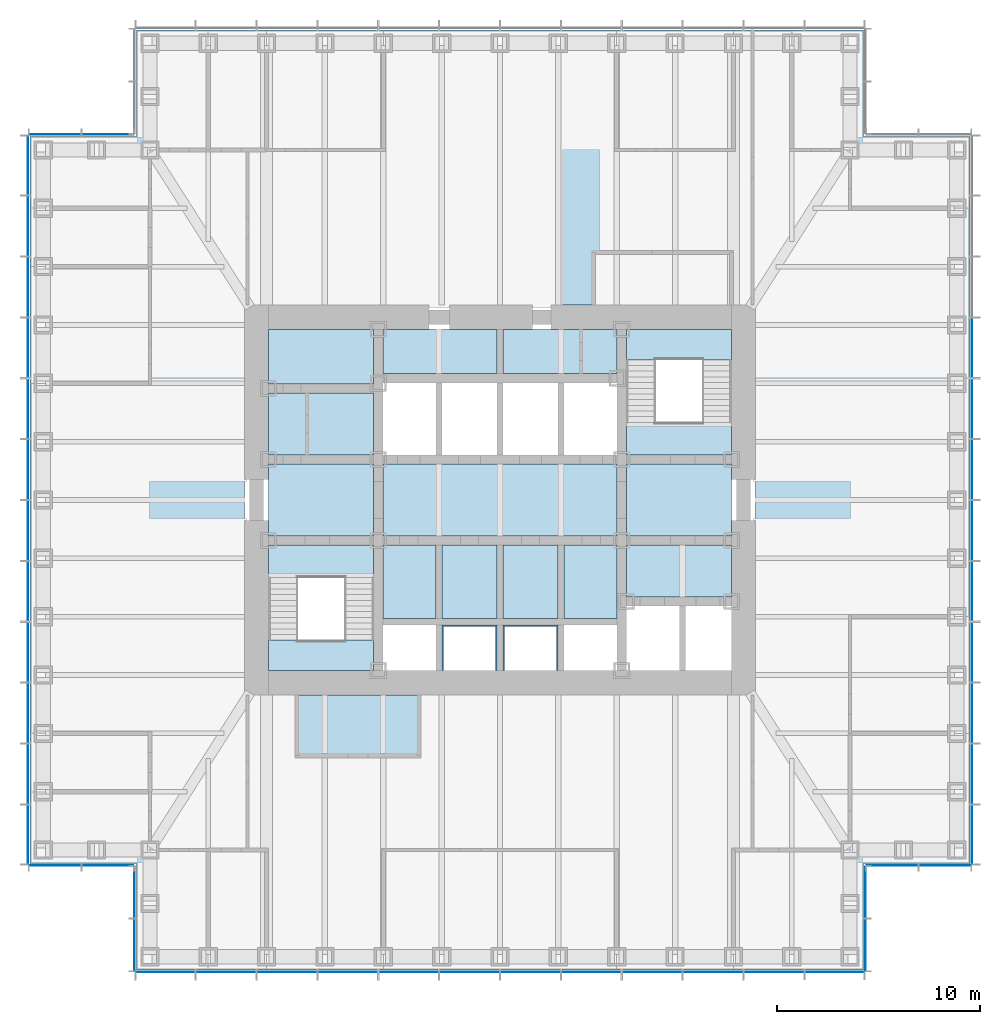
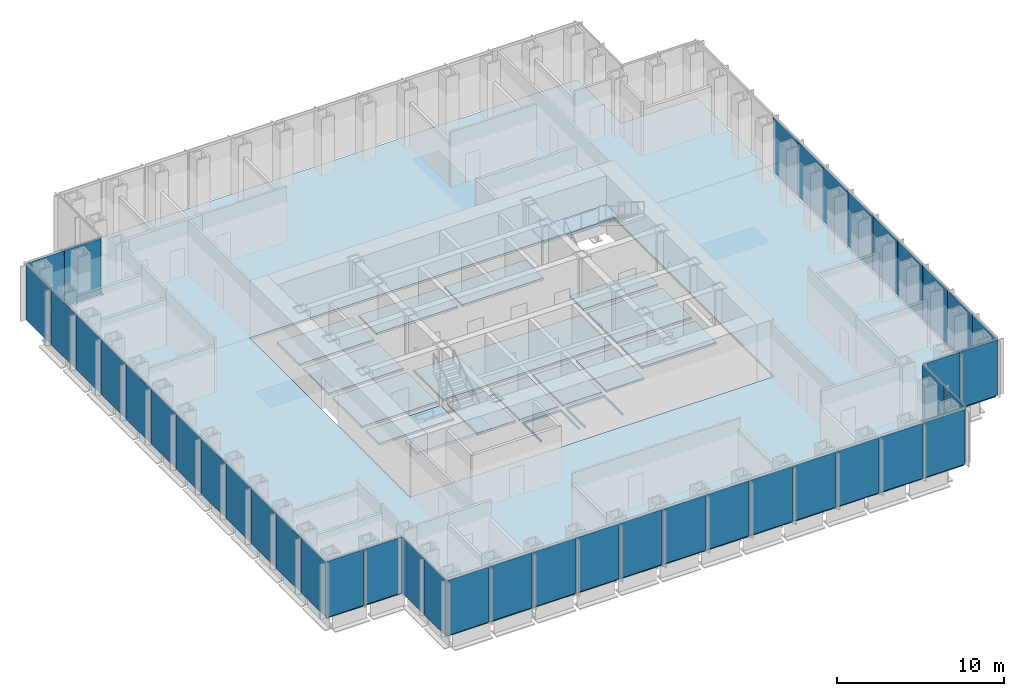
# One storey, part 7 of 17: 43 plates, 19 slabs, 10 elements without a shape of their own.
"""IFC4 building model written with IfcOpenShell, lengths in metres."""

from ifc_helpers import new_model, si_unit, direction, frame, origin, origin_2d, place, context, subcontext, project, spatial, polyline, rectangle, outline, extrude, material, layer, layer_set, type_object, element, aggregate, save


model = new_model("IFC4")

# Units and contexts
model_context = context("Model", 3, precision=1e-05, world=origin(), true_north=direction((0.0, 1.0)))
body_context = subcontext(model_context, "Body", "Model", "MODEL_VIEW")
ifc_project = project(units=[si_unit("LENGTHUNIT", "METRE"), si_unit("AREAUNIT", "SQUARE_METRE"), si_unit("VOLUMEUNIT", "CUBIC_METRE"), si_unit("PLANEANGLEUNIT", "RADIAN"), si_unit("MASSUNIT", "GRAM", prefix="KILO")], contexts=[model_context])

# Site, building, storey
site_placement = place(None, origin())
site = spatial("IfcSite", under=ifc_project, at=site_placement, CompositionType="ELEMENT")
building_placement = place(site_placement, origin())
building = spatial("IfcBuilding", under=site, at=building_placement, Name="Daluyong Arena Tower", CompositionType="ELEMENT")
storey_placement = place(building_placement, frame((0.0, 0.0, 145.89990234375)))
storey = spatial("IfcBuildingStorey", under=building, at=storey_placement, Name="L32", CompositionType="ELEMENT", Elevation=145.89990234375)

# Curtain wall, plates
ifc_material_1 = material(Name="Bronze anodised aluminium and glass", Category="aluminium")
curtain_wall_type_1 = type_object("IfcCurtainWallType", Name="Curtain wall CW2", PredefinedType="USERDEFINED", material=ifc_material_1)
curtain_wall_1_placement = place(storey_placement, origin())
curtain_wall_1 = element("IfcCurtainWall", 1, at=curtain_wall_1_placement, inside=storey, type_object=curtain_wall_type_1, Name="curtain wall L32 S", ObjectType="UNITISED CURTAIN WALL", PredefinedType="USERDEFINED")
ifc_material_2 = material(Name="Tinted double glazed unit", Category="glass")
ifc_layer_1 = layer(ifc_material_2, 0.031982421875)
ifc_layer_set_1 = layer_set([ifc_layer_1], Name="Tinted double glazed unit")
plate_type_1 = type_object("IfcPlateType", Name="CW2 panel 32", PredefinedType="CURTAIN_PANEL", material=ifc_layer_set_1)
plate_1_placement = place(storey_placement, frame((39.52001953125, 56.75, 0.0), z_axis=(0.0, 0.0, 1.0), x_axis=(1.0, 0.0, 0.0)))
plate_1 = element("IfcPlate", 2, at=plate_1_placement, type_object=plate_type_1, Name="curtain wall L32 S panel 1", PredefinedType="CURTAIN_PANEL", context=body_context, shape_type="SweptSolid", body=[
    extrude(rectangle(XDim=2.8798828125, YDim=0.031982421875, at=origin_2d()), origin(), (0.0, 0.0, 1.0), 4.02001953125),
])
plate_2_placement = place(storey_placement, frame((42.5, 56.75, 0.0), z_axis=(0.0, 0.0, 1.0), x_axis=(1.0, 0.0, 0.0)))
plate_2 = element("IfcPlate", 3, at=plate_2_placement, type_object=plate_type_1, Name="curtain wall L32 S panel 2", PredefinedType="CURTAIN_PANEL", context=body_context, shape_type="SweptSolid", body=[
    extrude(rectangle(XDim=2.919921875, YDim=0.031982421875, at=origin_2d()), origin(), (0.0, 0.0, 1.0), 4.02001953125),
])
plate_3_placement = place(storey_placement, frame((45.5, 56.75, 0.0), z_axis=(0.0, 0.0, 1.0), x_axis=(1.0, 0.0, 0.0)))
plate_3 = element("IfcPlate", 4, at=plate_3_placement, type_object=plate_type_1, Name="curtain wall L32 S panel 3", PredefinedType="CURTAIN_PANEL", context=body_context, shape_type="SweptSolid", body=[
    extrude(rectangle(XDim=2.919921875, YDim=0.031982421875, at=origin_2d()), origin(), (0.0, 0.0, 1.0), 4.02001953125),
])
plate_4_placement = place(storey_placement, frame((48.5, 56.75, 0.0), z_axis=(0.0, 0.0, 1.0), x_axis=(1.0, 0.0, 0.0)))
plate_4 = element("IfcPlate", 5, at=plate_4_placement, type_object=plate_type_1, Name="curtain wall L32 S panel 4", PredefinedType="CURTAIN_PANEL", context=body_context, shape_type="SweptSolid", body=[
    extrude(rectangle(XDim=2.919921875, YDim=0.031982421875, at=origin_2d()), origin(), (0.0, 0.0, 1.0), 4.02001953125),
])
plate_5_placement = place(storey_placement, frame((51.5, 56.75, 0.0), z_axis=(0.0, 0.0, 1.0), x_axis=(1.0, 0.0, 0.0)))
plate_5 = element("IfcPlate", 6, at=plate_5_placement, type_object=plate_type_1, Name="curtain wall L32 S panel 5", PredefinedType="CURTAIN_PANEL", context=body_context, shape_type="SweptSolid", body=[
    extrude(rectangle(XDim=2.919921875, YDim=0.031982421875, at=origin_2d()), origin(), (0.0, 0.0, 1.0), 4.02001953125),
])
plate_6_placement = place(storey_placement, frame((54.5, 56.75, 0.0), z_axis=(0.0, 0.0, 1.0), x_axis=(1.0, 0.0, 0.0)))
plate_6 = element("IfcPlate", 7, at=plate_6_placement, type_object=plate_type_1, Name="curtain wall L32 S panel 6", PredefinedType="CURTAIN_PANEL", context=body_context, shape_type="SweptSolid", body=[
    extrude(rectangle(XDim=2.919921875, YDim=0.031982421875, at=origin_2d()), origin(), (0.0, 0.0, 1.0), 4.02001953125),
])
plate_7_placement = place(storey_placement, frame((57.5, 56.75, 0.0), z_axis=(0.0, 0.0, 1.0), x_axis=(1.0, 0.0, 0.0)))
plate_7 = element("IfcPlate", 8, at=plate_7_placement, type_object=plate_type_1, Name="curtain wall L32 S panel 7", PredefinedType="CURTAIN_PANEL", context=body_context, shape_type="SweptSolid", body=[
    extrude(rectangle(XDim=2.919921875, YDim=0.031982421875, at=origin_2d()), origin(), (0.0, 0.0, 1.0), 4.02001953125),
])
plate_8_placement = place(storey_placement, frame((60.5, 56.75, 0.0), z_axis=(0.0, 0.0, 1.0), x_axis=(1.0, 0.0, 0.0)))
plate_8 = element("IfcPlate", 9, at=plate_8_placement, type_object=plate_type_1, Name="curtain wall L32 S panel 8", PredefinedType="CURTAIN_PANEL", context=body_context, shape_type="SweptSolid", body=[
    extrude(rectangle(XDim=2.919921875, YDim=0.031982421875, at=origin_2d()), origin(), (0.0, 0.0, 1.0), 4.02001953125),
])
plate_9_placement = place(storey_placement, frame((63.5, 56.75, 0.0), z_axis=(0.0, 0.0, 1.0), x_axis=(1.0, 0.0, 0.0)))
plate_9 = element("IfcPlate", 10, at=plate_9_placement, type_object=plate_type_1, Name="curtain wall L32 S panel 9", PredefinedType="CURTAIN_PANEL", context=body_context, shape_type="SweptSolid", body=[
    extrude(rectangle(XDim=2.919921875, YDim=0.031982421875, at=origin_2d()), origin(), (0.0, 0.0, 1.0), 4.02001953125),
])
plate_10_placement = place(storey_placement, frame((66.5, 56.75, 0.0), z_axis=(0.0, 0.0, 1.0), x_axis=(1.0, 0.0, 0.0)))
plate_10 = element("IfcPlate", 11, at=plate_10_placement, type_object=plate_type_1, Name="curtain wall L32 S panel 10", PredefinedType="CURTAIN_PANEL", context=body_context, shape_type="SweptSolid", body=[
    extrude(rectangle(XDim=2.919921875, YDim=0.031982421875, at=origin_2d()), origin(), (0.0, 0.0, 1.0), 4.02001953125),
])
plate_11_placement = place(storey_placement, frame((69.5, 56.75, 0.0), z_axis=(0.0, 0.0, 1.0), x_axis=(1.0, 0.0, 0.0)))
plate_11 = element("IfcPlate", 12, at=plate_11_placement, type_object=plate_type_1, Name="curtain wall L32 S panel 11", PredefinedType="CURTAIN_PANEL", context=body_context, shape_type="SweptSolid", body=[
    extrude(rectangle(XDim=2.919921875, YDim=0.031982421875, at=origin_2d()), origin(), (0.0, 0.0, 1.0), 4.02001953125),
])
plate_12_placement = place(storey_placement, frame((72.47998046875, 56.75, 0.0), z_axis=(0.0, 0.0, 1.0), x_axis=(1.0, 0.0, 0.0)))
plate_12 = element("IfcPlate", 13, at=plate_12_placement, type_object=plate_type_1, Name="curtain wall L32 S panel 12", PredefinedType="CURTAIN_PANEL", context=body_context, shape_type="SweptSolid", body=[
    extrude(rectangle(XDim=2.8798828125, YDim=0.031982421875, at=origin_2d()), origin(), (0.0, 0.0, 1.0), 4.02001953125),
])
aggregate(curtain_wall_1, [plate_1, plate_2, plate_3, plate_4, plate_5, plate_6, plate_7, plate_8, plate_9, plate_10, plate_11, plate_12])

curtain_wall_2_placement = place(storey_placement, origin())
curtain_wall_2 = element("IfcCurtainWall", 14, at=curtain_wall_2_placement, inside=storey, type_object=curtain_wall_type_1, Name="curtain wall L32 E", ObjectType="UNITISED CURTAIN WALL", PredefinedType="USERDEFINED")
plate_13_placement = place(storey_placement, frame((79.25, 63.52001953125, 0.0), z_axis=(0.0, 0.0, 1.0), x_axis=(0.0, 1.0, 0.0)))
plate_13 = element("IfcPlate", 15, at=plate_13_placement, type_object=plate_type_1, Name="curtain wall L32 E panel 1", PredefinedType="CURTAIN_PANEL", context=body_context, shape_type="SweptSolid", body=[
    extrude(rectangle(XDim=2.8798828125, YDim=0.031982421875, at=origin_2d()), origin(), (0.0, 0.0, 1.0), 4.02001953125),
])
plate_14_placement = place(storey_placement, frame((79.25, 66.5, 0.0), z_axis=(0.0, 0.0, 1.0), x_axis=(0.0, 1.0, 0.0)))
plate_14 = element("IfcPlate", 16, at=plate_14_placement, type_object=plate_type_1, Name="curtain wall L32 E panel 2", PredefinedType="CURTAIN_PANEL", context=body_context, shape_type="SweptSolid", body=[
    extrude(rectangle(XDim=2.919921875, YDim=0.031982421875, at=origin_2d()), origin(), (0.0, 0.0, 1.0), 4.02001953125),
])
plate_15_placement = place(storey_placement, frame((79.25, 69.5, 0.0), z_axis=(0.0, 0.0, 1.0), x_axis=(0.0, 1.0, 0.0)))
plate_15 = element("IfcPlate", 17, at=plate_15_placement, type_object=plate_type_1, Name="curtain wall L32 E panel 3", PredefinedType="CURTAIN_PANEL", context=body_context, shape_type="SweptSolid", body=[
    extrude(rectangle(XDim=2.919921875, YDim=0.031982421875, at=origin_2d()), origin(), (0.0, 0.0, 1.0), 4.02001953125),
])
plate_16_placement = place(storey_placement, frame((79.25, 72.5, 0.0), z_axis=(0.0, 0.0, 1.0), x_axis=(0.0, 1.0, 0.0)))
plate_16 = element("IfcPlate", 18, at=plate_16_placement, type_object=plate_type_1, Name="curtain wall L32 E panel 4", PredefinedType="CURTAIN_PANEL", context=body_context, shape_type="SweptSolid", body=[
    extrude(rectangle(XDim=2.919921875, YDim=0.031982421875, at=origin_2d()), origin(), (0.0, 0.0, 1.0), 4.02001953125),
])
plate_17_placement = place(storey_placement, frame((79.25, 75.5, 0.0), z_axis=(0.0, 0.0, 1.0), x_axis=(0.0, 1.0, 0.0)))
plate_17 = element("IfcPlate", 19, at=plate_17_placement, type_object=plate_type_1, Name="curtain wall L32 E panel 5", PredefinedType="CURTAIN_PANEL", context=body_context, shape_type="SweptSolid", body=[
    extrude(rectangle(XDim=2.919921875, YDim=0.031982421875, at=origin_2d()), origin(), (0.0, 0.0, 1.0), 4.02001953125),
])
plate_18_placement = place(storey_placement, frame((79.25, 78.5, 0.0), z_axis=(0.0, 0.0, 1.0), x_axis=(0.0, 1.0, 0.0)))
plate_18 = element("IfcPlate", 20, at=plate_18_placement, type_object=plate_type_1, Name="curtain wall L32 E panel 6", PredefinedType="CURTAIN_PANEL", context=body_context, shape_type="SweptSolid", body=[
    extrude(rectangle(XDim=2.919921875, YDim=0.031982421875, at=origin_2d()), origin(), (0.0, 0.0, 1.0), 4.02001953125),
])
plate_19_placement = place(storey_placement, frame((79.25, 81.5, 0.0), z_axis=(0.0, 0.0, 1.0), x_axis=(0.0, 1.0, 0.0)))
plate_19 = element("IfcPlate", 21, at=plate_19_placement, type_object=plate_type_1, Name="curtain wall L32 E panel 7", PredefinedType="CURTAIN_PANEL", context=body_context, shape_type="SweptSolid", body=[
    extrude(rectangle(XDim=2.919921875, YDim=0.031982421875, at=origin_2d()), origin(), (0.0, 0.0, 1.0), 4.02001953125),
])
plate_20_placement = place(storey_placement, frame((79.25, 84.5, 0.0), z_axis=(0.0, 0.0, 1.0), x_axis=(0.0, 1.0, 0.0)))
plate_20 = element("IfcPlate", 22, at=plate_20_placement, type_object=plate_type_1, Name="curtain wall L32 E panel 8", PredefinedType="CURTAIN_PANEL", context=body_context, shape_type="SweptSolid", body=[
    extrude(rectangle(XDim=2.919921875, YDim=0.031982421875, at=origin_2d()), origin(), (0.0, 0.0, 1.0), 4.02001953125),
])
plate_21_placement = place(storey_placement, frame((79.25, 87.5, 0.0), z_axis=(0.0, 0.0, 1.0), x_axis=(0.0, 1.0, 0.0)))
plate_21 = element("IfcPlate", 23, at=plate_21_placement, type_object=plate_type_1, Name="curtain wall L32 E panel 9", PredefinedType="CURTAIN_PANEL", context=body_context, shape_type="SweptSolid", body=[
    extrude(rectangle(XDim=2.919921875, YDim=0.031982421875, at=origin_2d()), origin(), (0.0, 0.0, 1.0), 4.02001953125),
])
aggregate(curtain_wall_2, [plate_13, plate_14, plate_15, plate_16, plate_17, plate_18, plate_19, plate_20, plate_21])

curtain_wall_3_placement = place(storey_placement, origin())
curtain_wall_3 = element("IfcCurtainWall", 24, at=curtain_wall_3_placement, inside=storey, type_object=curtain_wall_type_1, Name="curtain wall L32 W", ObjectType="UNITISED CURTAIN WALL", PredefinedType="USERDEFINED")
plate_22_placement = place(storey_placement, frame((32.75, 96.47998046875, 0.0), z_axis=(0.0, 0.0, 1.0), x_axis=(0.0, -1.0, 0.0)))
plate_22 = element("IfcPlate", 25, at=plate_22_placement, type_object=plate_type_1, Name="curtain wall L32 W panel 1", PredefinedType="CURTAIN_PANEL", context=body_context, shape_type="SweptSolid", body=[
    extrude(rectangle(XDim=2.8798828125, YDim=0.031982421875, at=origin_2d()), origin(), (0.0, 0.0, 1.0), 4.02001953125),
])
plate_23_placement = place(storey_placement, frame((32.75, 93.5, 0.0), z_axis=(0.0, 0.0, 1.0), x_axis=(0.0, -1.0, 0.0)))
plate_23 = element("IfcPlate", 26, at=plate_23_placement, type_object=plate_type_1, Name="curtain wall L32 W panel 2", PredefinedType="CURTAIN_PANEL", context=body_context, shape_type="SweptSolid", body=[
    extrude(rectangle(XDim=2.919921875, YDim=0.031982421875, at=origin_2d()), origin(), (0.0, 0.0, 1.0), 4.02001953125),
])
plate_24_placement = place(storey_placement, frame((32.75, 90.5, 0.0), z_axis=(0.0, 0.0, 1.0), x_axis=(0.0, -1.0, 0.0)))
plate_24 = element("IfcPlate", 27, at=plate_24_placement, type_object=plate_type_1, Name="curtain wall L32 W panel 3", PredefinedType="CURTAIN_PANEL", context=body_context, shape_type="SweptSolid", body=[
    extrude(rectangle(XDim=2.919921875, YDim=0.031982421875, at=origin_2d()), origin(), (0.0, 0.0, 1.0), 4.02001953125),
])
plate_25_placement = place(storey_placement, frame((32.75, 87.5, 0.0), z_axis=(0.0, 0.0, 1.0), x_axis=(0.0, -1.0, 0.0)))
plate_25 = element("IfcPlate", 28, at=plate_25_placement, type_object=plate_type_1, Name="curtain wall L32 W panel 4", PredefinedType="CURTAIN_PANEL", context=body_context, shape_type="SweptSolid", body=[
    extrude(rectangle(XDim=2.919921875, YDim=0.031982421875, at=origin_2d()), origin(), (0.0, 0.0, 1.0), 4.02001953125),
])
plate_26_placement = place(storey_placement, frame((32.75, 84.5, 0.0), z_axis=(0.0, 0.0, 1.0), x_axis=(0.0, -1.0, 0.0)))
plate_26 = element("IfcPlate", 29, at=plate_26_placement, type_object=plate_type_1, Name="curtain wall L32 W panel 5", PredefinedType="CURTAIN_PANEL", context=body_context, shape_type="SweptSolid", body=[
    extrude(rectangle(XDim=2.919921875, YDim=0.031982421875, at=origin_2d()), origin(), (0.0, 0.0, 1.0), 4.02001953125),
])
plate_27_placement = place(storey_placement, frame((32.75, 81.5, 0.0), z_axis=(0.0, 0.0, 1.0), x_axis=(0.0, -1.0, 0.0)))
plate_27 = element("IfcPlate", 30, at=plate_27_placement, type_object=plate_type_1, Name="curtain wall L32 W panel 6", PredefinedType="CURTAIN_PANEL", context=body_context, shape_type="SweptSolid", body=[
    extrude(rectangle(XDim=2.919921875, YDim=0.031982421875, at=origin_2d()), origin(), (0.0, 0.0, 1.0), 4.02001953125),
])
plate_28_placement = place(storey_placement, frame((32.75, 78.5, 0.0), z_axis=(0.0, 0.0, 1.0), x_axis=(0.0, -1.0, 0.0)))
plate_28 = element("IfcPlate", 31, at=plate_28_placement, type_object=plate_type_1, Name="curtain wall L32 W panel 7", PredefinedType="CURTAIN_PANEL", context=body_context, shape_type="SweptSolid", body=[
    extrude(rectangle(XDim=2.919921875, YDim=0.031982421875, at=origin_2d()), origin(), (0.0, 0.0, 1.0), 4.02001953125),
])
plate_29_placement = place(storey_placement, frame((32.75, 75.5, 0.0), z_axis=(0.0, 0.0, 1.0), x_axis=(0.0, -1.0, 0.0)))
plate_29 = element("IfcPlate", 32, at=plate_29_placement, type_object=plate_type_1, Name="curtain wall L32 W panel 8", PredefinedType="CURTAIN_PANEL", context=body_context, shape_type="SweptSolid", body=[
    extrude(rectangle(XDim=2.919921875, YDim=0.031982421875, at=origin_2d()), origin(), (0.0, 0.0, 1.0), 4.02001953125),
])
plate_30_placement = place(storey_placement, frame((32.75, 72.5, 0.0), z_axis=(0.0, 0.0, 1.0), x_axis=(0.0, -1.0, 0.0)))
plate_30 = element("IfcPlate", 33, at=plate_30_placement, type_object=plate_type_1, Name="curtain wall L32 W panel 9", PredefinedType="CURTAIN_PANEL", context=body_context, shape_type="SweptSolid", body=[
    extrude(rectangle(XDim=2.919921875, YDim=0.031982421875, at=origin_2d()), origin(), (0.0, 0.0, 1.0), 4.02001953125),
])
plate_31_placement = place(storey_placement, frame((32.75, 69.5, 0.0), z_axis=(0.0, 0.0, 1.0), x_axis=(0.0, -1.0, 0.0)))
plate_31 = element("IfcPlate", 34, at=plate_31_placement, type_object=plate_type_1, Name="curtain wall L32 W panel 10", PredefinedType="CURTAIN_PANEL", context=body_context, shape_type="SweptSolid", body=[
    extrude(rectangle(XDim=2.919921875, YDim=0.031982421875, at=origin_2d()), origin(), (0.0, 0.0, 1.0), 4.02001953125),
])
plate_32_placement = place(storey_placement, frame((32.75, 66.5, 0.0), z_axis=(0.0, 0.0, 1.0), x_axis=(0.0, -1.0, 0.0)))
plate_32 = element("IfcPlate", 35, at=plate_32_placement, type_object=plate_type_1, Name="curtain wall L32 W panel 11", PredefinedType="CURTAIN_PANEL", context=body_context, shape_type="SweptSolid", body=[
    extrude(rectangle(XDim=2.919921875, YDim=0.031982421875, at=origin_2d()), origin(), (0.0, 0.0, 1.0), 4.02001953125),
])
plate_33_placement = place(storey_placement, frame((32.75, 63.52001953125, 0.0), z_axis=(0.0, 0.0, 1.0), x_axis=(0.0, -1.0, 0.0)))
plate_33 = element("IfcPlate", 36, at=plate_33_placement, type_object=plate_type_1, Name="curtain wall L32 W panel 12", PredefinedType="CURTAIN_PANEL", context=body_context, shape_type="SweptSolid", body=[
    extrude(rectangle(XDim=2.8798828125, YDim=0.031982421875, at=origin_2d()), origin(), (0.0, 0.0, 1.0), 4.02001953125),
])
aggregate(curtain_wall_3, [plate_22, plate_23, plate_24, plate_25, plate_26, plate_27, plate_28, plate_29, plate_30, plate_31, plate_32, plate_33])

ifc_material_3 = material(Name="Bronze anodised aluminium and glass", Category="aluminium")
curtain_wall_type_2 = type_object("IfcCurtainWallType", Name="Curtain wall CW7", PredefinedType="USERDEFINED", material=ifc_material_3)
curtain_wall_4_placement = place(storey_placement, origin())
curtain_wall_4 = element("IfcCurtainWall", 37, at=curtain_wall_4_placement, inside=storey, type_object=curtain_wall_type_2, Name="curtain wall L32 SE-E", ObjectType="UNITISED CURTAIN WALL", PredefinedType="USERDEFINED")
ifc_material_4 = material(Name="Tinted double glazed unit", Category="glass")
ifc_layer_2 = layer(ifc_material_4, 0.028076171875)
ifc_layer_set_2 = layer_set([ifc_layer_2], Name="Tinted double glazed unit")
plate_type_2 = type_object("IfcPlateType", Name="CW7 panel 28", PredefinedType="CURTAIN_PANEL", material=ifc_layer_set_2)
plate_34_placement = place(storey_placement, frame((74.0, 58.077392578125, 0.0), z_axis=(0.0, 0.0, 1.0), x_axis=(0.0, 1.0, 0.0)))
plate_34 = element("IfcPlate", 38, at=plate_34_placement, type_object=plate_type_2, Name="curtain wall L32 SE-E panel 1", PredefinedType="CURTAIN_PANEL", context=body_context, shape_type="SweptSolid", body=[
    extrude(rectangle(XDim=2.534912109375, YDim=0.028076171875, at=origin_2d()), origin(), (0.0, 0.0, 1.0), 4.080078125),
])
plate_35_placement = place(storey_placement, frame((74.0, 60.672607421875, 0.0), z_axis=(0.0, 0.0, 1.0), x_axis=(0.0, 1.0, 0.0)))
plate_35 = element("IfcPlate", 39, at=plate_35_placement, type_object=plate_type_2, Name="curtain wall L32 SE-E panel 2", PredefinedType="CURTAIN_PANEL", context=body_context, shape_type="SweptSolid", body=[
    extrude(rectangle(XDim=2.534912109375, YDim=0.028076171875, at=origin_2d()), origin(), (0.0, 0.0, 1.0), 4.080078125),
])
aggregate(curtain_wall_4, [plate_34, plate_35])

curtain_wall_5_placement = place(storey_placement, origin())
curtain_wall_5 = element("IfcCurtainWall", 40, at=curtain_wall_5_placement, inside=storey, type_object=curtain_wall_type_2, Name="curtain wall L32 SE-S", ObjectType="UNITISED CURTAIN WALL", PredefinedType="USERDEFINED")
plate_36_placement = place(storey_placement, frame((75.327392578125, 62.0, 0.0), z_axis=(0.0, 0.0, 1.0), x_axis=(1.0, 0.0, 0.0)))
plate_36 = element("IfcPlate", 41, at=plate_36_placement, type_object=plate_type_2, Name="curtain wall L32 SE-S panel 1", PredefinedType="CURTAIN_PANEL", context=body_context, shape_type="SweptSolid", body=[
    extrude(rectangle(XDim=2.534912109375, YDim=0.028076171875, at=origin_2d()), origin(), (0.0, 0.0, 1.0), 4.080078125),
])
plate_37_placement = place(storey_placement, frame((77.922607421875, 62.0, 0.0), z_axis=(0.0, 0.0, 1.0), x_axis=(1.0, 0.0, 0.0)))
plate_37 = element("IfcPlate", 42, at=plate_37_placement, type_object=plate_type_2, Name="curtain wall L32 SE-S panel 2", PredefinedType="CURTAIN_PANEL", context=body_context, shape_type="SweptSolid", body=[
    extrude(rectangle(XDim=2.534912109375, YDim=0.028076171875, at=origin_2d()), origin(), (0.0, 0.0, 1.0), 4.080078125),
])
aggregate(curtain_wall_5, [plate_36, plate_37])

curtain_wall_6_placement = place(storey_placement, origin())
curtain_wall_6 = element("IfcCurtainWall", 43, at=curtain_wall_6_placement, inside=storey, type_object=curtain_wall_type_2, Name="curtain wall L32 NW-N", ObjectType="UNITISED CURTAIN WALL", PredefinedType="USERDEFINED")
plate_38_placement = place(storey_placement, frame((36.672607421875, 98.0, 0.0), z_axis=(0.0, 0.0, 1.0), x_axis=(-1.0, 0.0, 0.0)))
plate_38 = element("IfcPlate", 44, at=plate_38_placement, type_object=plate_type_2, Name="curtain wall L32 NW-N panel 1", PredefinedType="CURTAIN_PANEL", context=body_context, shape_type="SweptSolid", body=[
    extrude(rectangle(XDim=2.534912109375, YDim=0.028076171875, at=origin_2d()), origin(), (0.0, 0.0, 1.0), 4.080078125),
])
plate_39_placement = place(storey_placement, frame((34.077392578125, 98.0, 0.0), z_axis=(0.0, 0.0, 1.0), x_axis=(-1.0, 0.0, 0.0)))
plate_39 = element("IfcPlate", 45, at=plate_39_placement, type_object=plate_type_2, Name="curtain wall L32 NW-N panel 2", PredefinedType="CURTAIN_PANEL", context=body_context, shape_type="SweptSolid", body=[
    extrude(rectangle(XDim=2.534912109375, YDim=0.028076171875, at=origin_2d()), origin(), (0.0, 0.0, 1.0), 4.080078125),
])
aggregate(curtain_wall_6, [plate_38, plate_39])

curtain_wall_7_placement = place(storey_placement, origin())
curtain_wall_7 = element("IfcCurtainWall", 46, at=curtain_wall_7_placement, inside=storey, type_object=curtain_wall_type_2, Name="curtain wall L32 SW-S", ObjectType="UNITISED CURTAIN WALL", PredefinedType="USERDEFINED")
plate_40_placement = place(storey_placement, frame((34.077392578125, 62.0, 0.0), z_axis=(0.0, 0.0, 1.0), x_axis=(1.0, 0.0, 0.0)))
plate_40 = element("IfcPlate", 47, at=plate_40_placement, type_object=plate_type_2, Name="curtain wall L32 SW-S panel 1", PredefinedType="CURTAIN_PANEL", context=body_context, shape_type="SweptSolid", body=[
    extrude(rectangle(XDim=2.534912109375, YDim=0.028076171875, at=origin_2d()), origin(), (0.0, 0.0, 1.0), 4.080078125),
])
plate_41_placement = place(storey_placement, frame((36.672607421875, 62.0, 0.0), z_axis=(0.0, 0.0, 1.0), x_axis=(1.0, 0.0, 0.0)))
plate_41 = element("IfcPlate", 48, at=plate_41_placement, type_object=plate_type_2, Name="curtain wall L32 SW-S panel 2", PredefinedType="CURTAIN_PANEL", context=body_context, shape_type="SweptSolid", body=[
    extrude(rectangle(XDim=2.534912109375, YDim=0.028076171875, at=origin_2d()), origin(), (0.0, 0.0, 1.0), 4.080078125),
])
aggregate(curtain_wall_7, [plate_40, plate_41])

curtain_wall_8_placement = place(storey_placement, origin())
curtain_wall_8 = element("IfcCurtainWall", 49, at=curtain_wall_8_placement, inside=storey, type_object=curtain_wall_type_2, Name="curtain wall L32 SW-W", ObjectType="UNITISED CURTAIN WALL", PredefinedType="USERDEFINED")
plate_42_placement = place(storey_placement, frame((38.0, 60.672607421875, 0.0), z_axis=(0.0, 0.0, 1.0), x_axis=(0.0, -1.0, 0.0)))
plate_42 = element("IfcPlate", 50, at=plate_42_placement, type_object=plate_type_2, Name="curtain wall L32 SW-W panel 1", PredefinedType="CURTAIN_PANEL", context=body_context, shape_type="SweptSolid", body=[
    extrude(rectangle(XDim=2.534912109375, YDim=0.028076171875, at=origin_2d()), origin(), (0.0, 0.0, 1.0), 4.080078125),
])
plate_43_placement = place(storey_placement, frame((38.0, 58.077392578125, 0.0), z_axis=(0.0, 0.0, 1.0), x_axis=(0.0, -1.0, 0.0)))
plate_43 = element("IfcPlate", 51, at=plate_43_placement, type_object=plate_type_2, Name="curtain wall L32 SW-W panel 2", PredefinedType="CURTAIN_PANEL", context=body_context, shape_type="SweptSolid", body=[
    extrude(rectangle(XDim=2.534912109375, YDim=0.028076171875, at=origin_2d()), origin(), (0.0, 0.0, 1.0), 4.080078125),
])
aggregate(curtain_wall_8, [plate_42, plate_43])

# Stair, slab
ifc_material_5 = material(Name="Concrete fc' 35 MPa", Category="concrete")
stair_type = type_object("IfcStairType", Name="Core exit stair", PredefinedType="HALF_TURN_STAIR", material=ifc_material_5)
stair_1_placement = place(storey_placement, origin())
stair_1 = element("IfcStair", 52, at=stair_1_placement, inside=storey, type_object=stair_type, Name="exit stair A L32", PredefinedType="HALF_TURN_STAIR")
ifc_material_6 = material(Name="Concrete fc' 35 MPa", Category="concrete")
ifc_layer_3 = layer(ifc_material_6, 0.199951171875)
ifc_layer_set_3 = layer_set([ifc_layer_3], Name="Concrete fc' 35 MPa")
slab_type_1 = type_object("IfcSlabType", Name="Stair landing 200", PredefinedType="LANDING", material=ifc_layer_set_3)
slab_1_placement = place(storey_placement, frame((0.0, 0.0, 1.900146484375)))
slab_1 = element("IfcSlab", 53, at=slab_1_placement, type_object=slab_type_1, Name="STA landing 1", PredefinedType="LANDING", context=body_context, shape_type="SweptSolid", body=[
    extrude(outline(polyline([(44.60009765625, 71.60009765625), (49.77490234375, 71.60009765625), (49.77490234375, 73.094970703125), (44.60009765625, 73.094970703125), (44.60009765625, 71.60009765625)])), origin(), (0.0, 0.0, 1.0), 0.199951171875),
])
aggregate(stair_1, [slab_1])

stair_2_placement = place(storey_placement, origin())
stair_2 = element("IfcStair", 54, at=stair_2_placement, inside=storey, type_object=stair_type, Name="exit stair B L32", PredefinedType="HALF_TURN_STAIR")
slab_2_placement = place(storey_placement, frame((0.0, 0.0, 1.900146484375)))
slab_2 = element("IfcSlab", 55, at=slab_2_placement, type_object=slab_type_1, Name="STB landing 1", PredefinedType="LANDING", context=body_context, shape_type="SweptSolid", body=[
    extrude(outline(polyline([(62.22509765625, 86.905029296875), (67.39990234375, 86.905029296875), (67.39990234375, 88.39990234375), (62.22509765625, 88.39990234375), (62.22509765625, 86.905029296875)])), origin(), (0.0, 0.0, 1.0), 0.199951171875),
])
aggregate(stair_2, [slab_2])

# Slabs
ifc_material_7 = material(Name="Concrete fc' 35 MPa", Category="concrete")
ifc_layer_4 = layer(ifc_material_7, 0.159912109375)
ifc_layer_set_4 = layer_set([ifc_layer_4], Name="Concrete fc' 35 MPa")
slab_type_2 = type_object("IfcSlabType", Name="Tower floor slab 160", PredefinedType="FLOOR", material=ifc_layer_set_4)
slab_3_placement = place(storey_placement, frame((0.0, 0.0, -0.159912109375)))
element("IfcSlab", 56, at=slab_3_placement, inside=storey, type_object=slab_type_2, Name="floor L32 part 1", PredefinedType="FLOOR", context=body_context, shape_type="SweptSolid", body=[
    extrude(outline(polyline([(49.77490234375, 76.175048828125), (49.77490234375, 77.77490234375), (44.60009765625, 77.77490234375), (44.60009765625, 76.175048828125), (49.77490234375, 76.175048828125)])), origin(), (0.0, 0.0, 1.0), 0.159912109375),
])
slab_4_placement = place(storey_placement, frame((0.0, 0.0, -0.159912109375)))
element("IfcSlab", 57, at=slab_4_placement, inside=storey, type_object=slab_type_2, Name="floor L32 part 2", PredefinedType="FLOOR", context=body_context, shape_type="SweptSolid", body=[
    extrude(outline(polyline([(44.60009765625, 78.22509765625), (49.77490234375, 78.22509765625), (49.77490234375, 81.77490234375), (44.60009765625, 81.77490234375), (44.60009765625, 78.22509765625)])), origin(), (0.0, 0.0, 1.0), 0.159912109375),
])
slab_5_placement = place(storey_placement, frame((0.0, 0.0, -0.159912109375)))
element("IfcSlab", 58, at=slab_5_placement, inside=storey, type_object=slab_type_2, Name="floor L32 part 3", PredefinedType="FLOOR", context=body_context, shape_type="SweptSolid", body=[
    extrude(outline(polyline([(44.60009765625, 82.22509765625), (49.77490234375, 82.22509765625), (49.77490234375, 85.27490234375), (44.60009765625, 85.27490234375), (44.60009765625, 82.22509765625)])), origin(), (0.0, 0.0, 1.0), 0.159912109375),
])
slab_6_placement = place(storey_placement, frame((0.0, 0.0, -0.159912109375)))
element("IfcSlab", 59, at=slab_6_placement, inside=storey, type_object=slab_type_2, Name="floor L32 part 4", PredefinedType="FLOOR", context=body_context, shape_type="SweptSolid", body=[
    extrude(outline(polyline([(49.77490234375, 88.39990234375), (44.60009765625, 88.39990234375), (44.60009765625, 85.72509765625), (49.77490234375, 85.72509765625), (49.77490234375, 88.39990234375)])), origin(), (0.0, 0.0, 1.0), 0.159912109375),
])
slab_7_placement = place(storey_placement, frame((0.0, 0.0, -0.159912109375)))
element("IfcSlab", 60, at=slab_7_placement, inside=storey, type_object=slab_type_2, Name="floor L32 part 5", PredefinedType="FLOOR", context=body_context, shape_type="SweptSolid", body=[
    extrude(outline(polyline([(52.85009765625, 77.77490234375), (50.22509765625, 77.77490234375), (50.22509765625, 74.14990234375), (52.85009765625, 74.14990234375), (52.85009765625, 77.77490234375)])), origin(), (0.0, 0.0, 1.0), 0.159912109375),
])
slab_8_placement = place(storey_placement, frame((0.0, 0.0, -0.159912109375)))
element("IfcSlab", 61, at=slab_8_placement, inside=storey, type_object=slab_type_2, Name="floor L32 part 6", PredefinedType="FLOOR", context=body_context, shape_type="SweptSolid", body=[
    extrude(outline(polyline([(55.85009765625, 88.39990234375), (50.22509765625, 88.39990234375), (50.22509765625, 86.22509765625), (55.85009765625, 86.22509765625), (55.85009765625, 88.39990234375)])), origin(), (0.0, 0.0, 1.0), 0.159912109375),
])
slab_9_placement = place(storey_placement, frame((0.0, 0.0, -0.159912109375)))
element("IfcSlab", 62, at=slab_9_placement, inside=storey, type_object=slab_type_2, Name="floor L32 part 7", PredefinedType="FLOOR", context=body_context, shape_type="SweptSolid", body=[
    extrude(outline(polyline([(55.77490234375, 73.77490234375), (55.77490234375, 71.60009765625), (55.85009765625, 71.60009765625), (55.85009765625, 73.85009765625), (53.14990234375, 73.85009765625), (53.14990234375, 71.60009765625), (53.22509765625, 71.60009765625), (53.22509765625, 73.77490234375), (55.77490234375, 73.77490234375)])), origin(), (0.0, 0.0, 1.0), 0.159912109375),
])
slab_10_placement = place(storey_placement, frame((0.0, 0.0, -0.159912109375)))
element("IfcSlab", 63, at=slab_10_placement, inside=storey, type_object=slab_type_2, Name="floor L32 part 8", PredefinedType="FLOOR", context=body_context, shape_type="SweptSolid", body=[
    extrude(outline(polyline([(55.85009765625, 77.77490234375), (53.14990234375, 77.77490234375), (53.14990234375, 74.14990234375), (55.85009765625, 74.14990234375), (55.85009765625, 77.77490234375)])), origin(), (0.0, 0.0, 1.0), 0.159912109375),
])
slab_11_placement = place(storey_placement, frame((0.0, 0.0, -0.159912109375)))
element("IfcSlab", 64, at=slab_11_placement, inside=storey, type_object=slab_type_2, Name="floor L32 part 9", PredefinedType="FLOOR", context=body_context, shape_type="SweptSolid", body=[
    extrude(outline(polyline([(38.10009765625, 62.10009765625), (38.10009765625, 56.85009765625), (73.89990234375, 56.85009765625), (73.89990234375, 62.10009765625), (79.14990234375, 62.10009765625), (79.14990234375, 97.89990234375), (73.89990234375, 97.89990234375), (73.89990234375, 103.14990234375), (38.10009765625, 103.14990234375), (38.10009765625, 97.89990234375), (32.85009765625, 97.89990234375), (32.85009765625, 62.10009765625), (38.10009765625, 62.10009765625)]), holes=[polyline([(68.60009765625, 89.60009765625), (68.60009765625, 70.39990234375), (43.39990234375, 70.39990234375), (43.39990234375, 89.60009765625), (68.60009765625, 89.60009765625)])]), origin(), (0.0, 0.0, 1.0), 0.159912109375),
])
slab_12_placement = place(storey_placement, frame((0.0, 0.0, -0.159912109375)))
element("IfcSlab", 65, at=slab_12_placement, inside=storey, type_object=slab_type_2, Name="floor L32 part 10", PredefinedType="FLOOR", context=body_context, shape_type="SweptSolid", body=[
    extrude(outline(polyline([(61.77490234375, 78.22509765625), (61.77490234375, 81.77490234375), (50.22509765625, 81.77490234375), (50.22509765625, 78.22509765625), (61.77490234375, 78.22509765625)])), origin(), (0.0, 0.0, 1.0), 0.159912109375),
])
slab_13_placement = place(storey_placement, frame((0.0, 0.0, -0.159912109375)))
element("IfcSlab", 66, at=slab_13_placement, inside=storey, type_object=slab_type_2, Name="floor L32 part 11", PredefinedType="FLOOR", context=body_context, shape_type="SweptSolid", body=[
    extrude(outline(polyline([(58.85009765625, 71.60009765625), (58.85009765625, 73.85009765625), (56.14990234375, 73.85009765625), (56.14990234375, 71.60009765625), (56.22509765625, 71.60009765625), (56.22509765625, 73.77490234375), (58.77490234375, 73.77490234375), (58.77490234375, 71.60009765625), (58.85009765625, 71.60009765625)])), origin(), (0.0, 0.0, 1.0), 0.159912109375),
])
slab_14_placement = place(storey_placement, frame((0.0, 0.0, -0.159912109375)))
element("IfcSlab", 67, at=slab_14_placement, inside=storey, type_object=slab_type_2, Name="floor L32 part 12", PredefinedType="FLOOR", context=body_context, shape_type="SweptSolid", body=[
    extrude(outline(polyline([(58.85009765625, 77.77490234375), (56.14990234375, 77.77490234375), (56.14990234375, 74.14990234375), (58.85009765625, 74.14990234375), (58.85009765625, 77.77490234375)])), origin(), (0.0, 0.0, 1.0), 0.159912109375),
])
slab_15_placement = place(storey_placement, frame((0.0, 0.0, -0.159912109375)))
element("IfcSlab", 68, at=slab_15_placement, inside=storey, type_object=slab_type_2, Name="floor L32 part 13", PredefinedType="FLOOR", context=body_context, shape_type="SweptSolid", body=[
    extrude(outline(polyline([(56.14990234375, 88.39990234375), (56.14990234375, 86.22509765625), (61.77490234375, 86.22509765625), (61.77490234375, 88.39990234375), (56.14990234375, 88.39990234375)])), origin(), (0.0, 0.0, 1.0), 0.159912109375),
])
slab_16_placement = place(storey_placement, frame((0.0, 0.0, -0.159912109375)))
element("IfcSlab", 69, at=slab_16_placement, inside=storey, type_object=slab_type_2, Name="floor L32 part 14", PredefinedType="FLOOR", context=body_context, shape_type="SweptSolid", body=[
    extrude(outline(polyline([(59.14990234375, 77.77490234375), (59.14990234375, 74.14990234375), (61.77490234375, 74.14990234375), (61.77490234375, 77.77490234375), (59.14990234375, 77.77490234375)])), origin(), (0.0, 0.0, 1.0), 0.159912109375),
])
slab_17_placement = place(storey_placement, frame((0.0, 0.0, -0.159912109375)))
element("IfcSlab", 70, at=slab_17_placement, inside=storey, type_object=slab_type_2, Name="floor L32 part 15", PredefinedType="FLOOR", context=body_context, shape_type="SweptSolid", body=[
    extrude(outline(polyline([(62.22509765625, 75.22509765625), (67.39990234375, 75.22509765625), (67.39990234375, 77.77490234375), (62.22509765625, 77.77490234375), (62.22509765625, 75.22509765625)])), origin(), (0.0, 0.0, 1.0), 0.159912109375),
])
slab_18_placement = place(storey_placement, frame((0.0, 0.0, -0.159912109375)))
element("IfcSlab", 71, at=slab_18_placement, inside=storey, type_object=slab_type_2, Name="floor L32 part 16", PredefinedType="FLOOR", context=body_context, shape_type="SweptSolid", body=[
    extrude(outline(polyline([(62.22509765625, 78.22509765625), (67.39990234375, 78.22509765625), (67.39990234375, 81.77490234375), (62.22509765625, 81.77490234375), (62.22509765625, 78.22509765625)])), origin(), (0.0, 0.0, 1.0), 0.159912109375),
])
slab_19_placement = place(storey_placement, frame((0.0, 0.0, -0.159912109375)))
element("IfcSlab", 72, at=slab_19_placement, inside=storey, type_object=slab_type_2, Name="floor L32 part 17", PredefinedType="FLOOR", context=body_context, shape_type="SweptSolid", body=[
    extrude(outline(polyline([(62.22509765625, 82.22509765625), (67.39990234375, 82.22509765625), (67.39990234375, 83.824951171875), (62.22509765625, 83.824951171875), (62.22509765625, 82.22509765625)])), origin(), (0.0, 0.0, 1.0), 0.159912109375),
])

save(model, "model.ifc")
